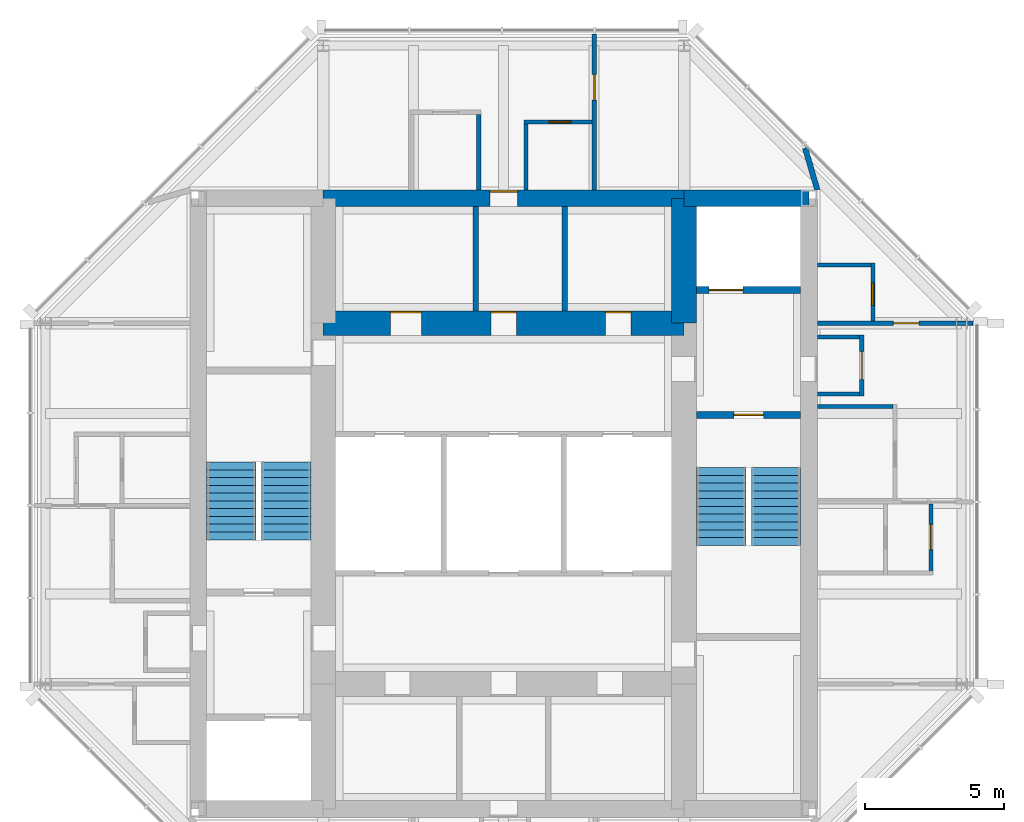
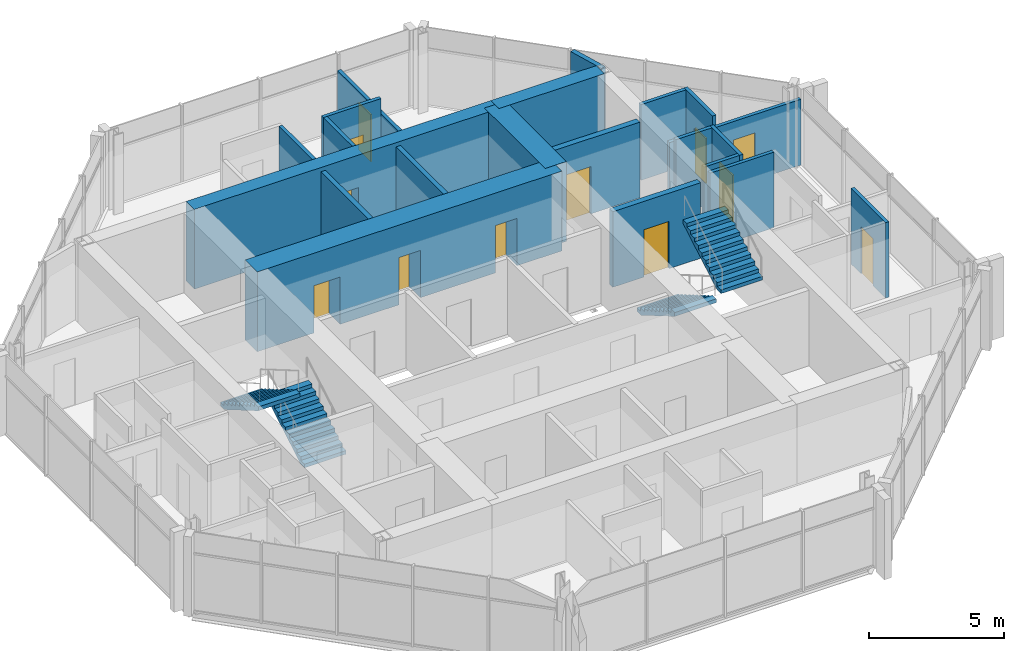
# One storey, part 7 of 9: 21 walls, 12 doors, 4 stair flights, 12 openings, 2 elements without a shape of their own.
"""IFC4 building model written with IfcOpenShell, lengths in metres."""

from ifc_helpers import new_model, si_unit, direction, frame, frame_2d, origin, place, context, subcontext, project, spatial, polyline, rectangle, outline, extrude, material, layer, layer_set, type_object, element, fill, aggregate, save


model = new_model("IFC4")

# Units and contexts
model_context = context("Model", 3, precision=1e-05, world=origin(), true_north=direction((0.0, 1.0)))
body_context = subcontext(model_context, "Body", "Model", "MODEL_VIEW")
ifc_project = project(units=[si_unit("LENGTHUNIT", "METRE"), si_unit("AREAUNIT", "SQUARE_METRE"), si_unit("VOLUMEUNIT", "CUBIC_METRE"), si_unit("PLANEANGLEUNIT", "RADIAN"), si_unit("MASSUNIT", "GRAM", prefix="KILO")], contexts=[model_context])

# Site, building, storey
site_placement = place(None, origin())
site = spatial("IfcSite", under=ifc_project, at=site_placement, CompositionType="ELEMENT")
building_placement = place(site_placement, origin())
building = spatial("IfcBuilding", under=site, at=building_placement, Name="Trevanion Tower", CompositionType="ELEMENT")
storey_placement = place(building_placement, frame((0.0, 0.0, 281.199951171875)))
storey = spatial("IfcBuildingStorey", under=building, at=storey_placement, Name="L69", CompositionType="ELEMENT", Elevation=281.199951171875)

# Wall
ifc_material_1 = material(Name="Concrete 10,000 psi", Category="concrete")
ifc_layer_1 = layer(ifc_material_1, 0.60009765625)
ifc_layer_set_1 = layer_set([ifc_layer_1], Name="CW1 core wall 600")
wall_type_1 = type_object("IfcWallType", Name="CW1 core wall 600", PredefinedType="SHEAR", material=ifc_layer_set_1)
wall_1_placement = place(storey_placement, frame((11.0, 11.0, 0.0), z_axis=(0.0, 0.0, 1.0), x_axis=(-1.0, 0.0, 0.0)))
element("IfcWall", 1, at=wall_1_placement, inside=storey, type_object=wall_type_1, Name="CW1 CN1 L69", PredefinedType="SHEAR", context=body_context, shape_type="SweptSolid", body=[
    extrude(rectangle(XDim=4.5, YDim=0.60009765625, at=frame_2d((2.25, 0.0))), origin(), (0.0, 0.0, 1.0), 3.60009765625),
])

# Wall, opening, door
wall_2_placement = place(storey_placement, frame((6.5, 11.0, 0.0), z_axis=(0.0, 0.0, 1.0), x_axis=(-1.0, 0.0, 0.0)))
wall_2 = element("IfcWall", 2, at=wall_2_placement, inside=storey, type_object=wall_type_1, Name="CW1 CN2 L69", PredefinedType="SHEAR", context=body_context, shape_type="SweptSolid", body=[
    extrude(rectangle(XDim=13.0, YDim=0.60009765625, at=frame_2d((6.5, 0.0))), origin(), (0.0, 0.0, 1.0), 3.60009765625),
])
opening_1_placement = place(wall_2_placement, frame((6.0, 0.0, 0.0)))
opening_1 = element("IfcOpeningElement", 3, at=opening_1_placement, cuts=wall_2, Name="Opening 69-018", PredefinedType="OPENING", context=body_context, shape_type="SweptSolid", body=[
    extrude(rectangle(XDim=1.0, YDim=2.134033203125, at=frame_2d((0.5, 1.06689453125))), frame((0.0, 0.31005859375, 0.0), z_axis=(0.0, -1.0, 0.0), x_axis=(1.0, 0.0, 0.0)), (0.0, 0.0, 1.0), 0.6201171875),
])
ifc_material_2 = material(Name="Timber veneer on steel frame, fire rated", Category="steel")
door_type_1 = type_object("IfcDoorType", Name="D13 residence entrance door", OperationType="SINGLE_SWING_RIGHT", PredefinedType="DOOR", material=ifc_material_2)
door_1_placement = place(opening_1_placement, origin())
door_1 = element("IfcDoor", 4, at=door_1_placement, inside=storey, type_object=door_type_1, Name="Door 69-018", OperationType="SINGLE_SWING_RIGHT", OverallHeight=2.134033203125, OverallWidth=1.0, PredefinedType="DOOR", context=body_context, shape_type="SweptSolid", body=[
    extrude(rectangle(XDim=1.0, YDim=2.134033203125, at=frame_2d((0.5, 1.06689453125))), frame((0.0, -0.22509765625, 0.0), z_axis=(0.0, -1.0, 0.0), x_axis=(1.0, 0.0, 0.0)), (0.0, 0.0, 1.0), 0.050048828125),
])
fill(opening_1, door_1)

# Wall
ifc_material_3 = material(Name="Concrete 10,000 psi", Category="concrete")
ifc_layer_2 = layer(ifc_material_3, 0.89990234375)
ifc_layer_set_2 = layer_set([ifc_layer_2], Name="CW2 core wall 900")
wall_type_2 = type_object("IfcWallType", Name="CW2 core wall 900", PredefinedType="SHEAR", material=ifc_layer_set_2)
wall_3_placement = place(storey_placement, frame((6.5, 6.5, 0.0), z_axis=(0.0, 0.0, 1.0), x_axis=(0.0, 1.0, 0.0)))
element("IfcWall", 5, at=wall_3_placement, inside=storey, type_object=wall_type_2, Name="CW2 RE3 L69", PredefinedType="SHEAR", context=body_context, shape_type="SweptSolid", body=[
    extrude(rectangle(XDim=4.5, YDim=0.89990234375, at=frame_2d((2.25, 0.0))), origin(), (0.0, 0.0, 1.0), 3.60009765625),
])

# Wall, openings, doors
wall_4_placement = place(storey_placement, frame((6.5, 6.5, 0.0), z_axis=(0.0, 0.0, 1.0), x_axis=(-1.0, 0.0, 0.0)))
wall_4 = element("IfcWall", 6, at=wall_4_placement, inside=storey, type_object=wall_type_2, Name="CW2 RN L69", PredefinedType="SHEAR", context=body_context, shape_type="SweptSolid", body=[
    extrude(rectangle(XDim=13.0, YDim=0.89990234375, at=frame_2d((6.5, 0.0))), origin(), (0.0, 0.0, 1.0), 3.60009765625),
])
opening_2_placement = place(wall_4_placement, frame((6.04248046875, 0.0, 0.0)))
opening_2 = element("IfcOpeningElement", 7, at=opening_2_placement, cuts=wall_4, Name="Opening 69-017", PredefinedType="OPENING", context=body_context, shape_type="SweptSolid", body=[
    extrude(rectangle(XDim=0.9150390625, YDim=2.134033203125, at=frame_2d((0.45751953125, 1.06689453125))), frame((0.0, 0.4599609375, 0.0), z_axis=(0.0, -1.0, 0.0), x_axis=(1.0, 0.0, 0.0)), (0.0, 0.0, 1.0), 0.919921875),
])
opening_3_placement = place(wall_4_placement, frame((9.466064453125, 0.0, 0.0)))
opening_3 = element("IfcOpeningElement", 8, at=opening_3_placement, cuts=wall_4, Name="Opening 69-019", PredefinedType="OPENING", context=body_context, shape_type="SweptSolid", body=[
    extrude(rectangle(XDim=1.117919921875, YDim=2.134033203125, at=frame_2d((0.55908203125, 1.06689453125))), frame((0.0, 0.4599609375, 0.0), z_axis=(0.0, -1.0, 0.0), x_axis=(1.0, 0.0, 0.0)), (0.0, 0.0, 1.0), 0.919921875),
])
opening_4_placement = place(wall_4_placement, frame((1.91748046875, 0.0, 0.0)))
opening_4 = element("IfcOpeningElement", 9, at=opening_4_placement, cuts=wall_4, Name="Opening 69-020", PredefinedType="OPENING", context=body_context, shape_type="SweptSolid", body=[
    extrude(rectangle(XDim=0.9150390625, YDim=2.134033203125, at=frame_2d((0.45751953125, 1.06689453125))), frame((0.0, 0.4599609375, 0.0), z_axis=(0.0, -1.0, 0.0), x_axis=(1.0, 0.0, 0.0)), (0.0, 0.0, 1.0), 0.919921875),
])
ifc_material_4 = material(Name="Hollow metal, fire rated", Category="steel")
door_type_2 = type_object("IfcDoorType", Name="D16 refuse room door", OperationType="SINGLE_SWING_RIGHT", PredefinedType="DOOR", material=ifc_material_4)
door_2_placement = place(opening_3_placement, origin())
door_2 = element("IfcDoor", 10, at=door_2_placement, inside=storey, type_object=door_type_2, Name="Door 69-019", OperationType="SINGLE_SWING_RIGHT", OverallHeight=2.134033203125, OverallWidth=1.117919921875, PredefinedType="DOOR", context=body_context, shape_type="SweptSolid", body=[
    extrude(rectangle(XDim=1.117919921875, YDim=2.134033203125, at=frame_2d((0.55908203125, 1.06689453125))), frame((0.0, -0.375, 0.0), z_axis=(0.0, -1.0, 0.0), x_axis=(1.0, 0.0, 0.0)), (0.0, 0.0, 1.0), 0.050048828125),
])
fill(opening_3, door_2)
ifc_material_5 = material(Name="Hollow metal, fire rated", Category="steel")
door_type_3 = type_object("IfcDoorType", Name="D3 fire lift lobby door", OperationType="SINGLE_SWING_RIGHT", PredefinedType="DOOR", material=ifc_material_5)
door_3_placement = place(opening_2_placement, origin())
door_3 = element("IfcDoor", 11, at=door_3_placement, inside=storey, type_object=door_type_3, Name="Door 69-017", OperationType="SINGLE_SWING_RIGHT", OverallHeight=2.134033203125, OverallWidth=0.9150390625, PredefinedType="DOOR", context=body_context, shape_type="SweptSolid", body=[
    extrude(rectangle(XDim=0.9150390625, YDim=2.134033203125, at=frame_2d((0.45751953125, 1.06689453125))), frame((0.0, -0.375, 0.0), z_axis=(0.0, -1.0, 0.0), x_axis=(1.0, 0.0, 0.0)), (0.0, 0.0, 1.0), 0.050048828125),
])
fill(opening_2, door_3)
ifc_material_6 = material(Name="Hollow metal, fire rated", Category="steel")
door_type_4 = type_object("IfcDoorType", Name="D5 service room door", OperationType="SINGLE_SWING_RIGHT", PredefinedType="DOOR", material=ifc_material_6)
door_4_placement = place(opening_4_placement, origin())
door_4 = element("IfcDoor", 12, at=door_4_placement, inside=storey, type_object=door_type_4, Name="Door 69-020", OperationType="SINGLE_SWING_RIGHT", OverallHeight=2.134033203125, OverallWidth=0.9150390625, PredefinedType="DOOR", context=body_context, shape_type="SweptSolid", body=[
    extrude(rectangle(XDim=0.9150390625, YDim=2.134033203125, at=frame_2d((0.45751953125, 1.06689453125))), frame((0.0, -0.375, 0.0), z_axis=(0.0, -1.0, 0.0), x_axis=(1.0, 0.0, 0.0)), (0.0, 0.0, 1.0), 0.050048828125),
])
fill(opening_4, door_4)

# Wall, opening, door
ifc_material_7 = material(Name="Gypsum board on steel studs", Category="steel")
ifc_layer_3 = layer(ifc_material_7, 0.14990234375)
ifc_layer_set_3 = layer_set([ifc_layer_3], Name="PT1 partition 150")
wall_type_3 = type_object("IfcWallType", Name="PT1 partition 150", PredefinedType="PARTITIONING", material=ifc_layer_set_3)
wall_5_placement = place(storey_placement, frame((11.300048828125, 6.5, 0.0), z_axis=(0.0, 0.0, 1.0), x_axis=(1.0, 0.0, 0.0)))
wall_5 = element("IfcWall", 13, at=wall_5_placement, inside=storey, type_object=wall_type_3, Name="PT1 L69 REC2", PredefinedType="PARTITIONING", context=body_context, shape_type="SweptSolid", body=[
    extrude(rectangle(XDim=5.614990234375, YDim=0.14990234375, at=frame_2d((2.8076171875, 0.0))), origin(), (0.0, 0.0, 1.0), 2.965576171875),
])
opening_5_placement = place(wall_5_placement, frame((2.742431640625, 0.0, 0.0)))
opening_5 = element("IfcOpeningElement", 14, at=opening_5_placement, cuts=wall_5, Name="Opening 69-033", PredefinedType="OPENING", context=body_context, shape_type="SweptSolid", body=[
    extrude(rectangle(XDim=0.9150390625, YDim=2.134033203125, at=frame_2d((0.45751953125, 1.06689453125))), frame((0.0, 0.0849609375, 0.0), z_axis=(0.0, -1.0, 0.0), x_axis=(1.0, 0.0, 0.0)), (0.0, 0.0, 1.0), 0.169921875),
])
ifc_material_8 = material(Name="Timber veneer, solid core", Category="wood")
door_type_5 = type_object("IfcDoorType", Name="D1 office and meeting room door", OperationType="SINGLE_SWING_LEFT", PredefinedType="DOOR", material=ifc_material_8)
door_5_placement = place(opening_5_placement, origin())
door_5 = element("IfcDoor", 15, at=door_5_placement, inside=storey, type_object=door_type_5, Name="Door 69-033", OperationType="SINGLE_SWING_LEFT", OverallHeight=2.134033203125, OverallWidth=0.9150390625, PredefinedType="DOOR", context=body_context, shape_type="SweptSolid", body=[
    extrude(rectangle(XDim=0.9150390625, YDim=2.134033203125, at=frame_2d((0.45751953125, 1.06689453125))), frame((0.0, 0.02490234375, 0.0), z_axis=(0.0, -1.0, 0.0), x_axis=(1.0, 0.0, 0.0)), (0.0, 0.0, 1.0), 0.050048828125),
])
fill(opening_5, door_5)

# Walls
for number, where, z_axis, x_axis, name in (
    (16, (11.300048828125, 3.949951171875, 0.0), (0.0, 0.0, 1.0), (1.0, 0.0, 0.0), "PT1 L69 REEA"),
    (17, (11.300048828125, 6.0, 0.0), (0.0, 0.0, 1.0), (1.0, 0.0, 0.0), "PT1 L69 REEB"),
):
    element("IfcWall", number, at=place(storey_placement, frame(where, z_axis=z_axis, x_axis=x_axis)), inside=storey, type_object=wall_type_3, Name=name, PredefinedType="PARTITIONING", context=body_context, shape_type="SweptSolid", body=[
        extrude(rectangle(XDim=1.52490234375, YDim=0.14990234375, at=frame_2d((0.762451171875, 0.0))), origin(), (0.0, 0.0, 1.0), 3.41015625),
    ])
wall_6_placement = place(storey_placement, frame((11.300048828125, 3.5, 0.0), z_axis=(0.0, 0.0, 1.0), x_axis=(1.0, 0.0, 0.0)))
element("IfcWall", 18, at=wall_6_placement, inside=storey, type_object=wall_type_3, Name="PT1 L69 REKB", PredefinedType="PARTITIONING", context=body_context, shape_type="SweptSolid", body=[
    extrude(rectangle(XDim=2.724853515625, YDim=0.14990234375, at=frame_2d((1.3623046875, 0.0))), origin(), (0.0, 0.0, 1.0), 3.41015625),
])

# Wall, opening, door
wall_7_placement = place(storey_placement, frame((13.300048828125, 6.574951171875, 0.0), z_axis=(0.0, 0.0, 1.0), x_axis=(0.0, 1.0, 0.0)))
wall_7 = element("IfcWall", 19, at=wall_7_placement, inside=storey, type_object=wall_type_3, Name="PT1 L69 REWF", PredefinedType="PARTITIONING", context=body_context, shape_type="SweptSolid", body=[
    extrude(rectangle(XDim=2.10009765625, YDim=0.14990234375, at=frame_2d((1.050048828125, 0.0))), origin(), (0.0, 0.0, 1.0), 3.41015625),
])
opening_6_placement = place(wall_7_placement, frame((0.568603515625, 0.0, 0.0)))
opening_6 = element("IfcOpeningElement", 20, at=opening_6_placement, cuts=wall_7, Name="Opening 69-027", PredefinedType="OPENING", context=body_context, shape_type="SweptSolid", body=[
    extrude(rectangle(XDim=0.81298828125, YDim=2.031982421875, at=frame_2d((0.406494140625, 1.01611328125))), frame((0.0, 0.0849609375, 0.0), z_axis=(0.0, -1.0, 0.0), x_axis=(1.0, 0.0, 0.0)), (0.0, 0.0, 1.0), 0.169921875),
])
ifc_material_9 = material(Name="Timber veneer", Category="wood")
door_type_6 = type_object("IfcDoorType", Name="D14 residence bathroom door", OperationType="SINGLE_SWING_LEFT", PredefinedType="DOOR", material=ifc_material_9)
door_6_placement = place(opening_6_placement, origin())
door_6 = element("IfcDoor", 21, at=door_6_placement, inside=storey, type_object=door_type_6, Name="Door 69-027", OperationType="SINGLE_SWING_LEFT", OverallHeight=2.031982421875, OverallWidth=0.81298828125, PredefinedType="DOOR", context=body_context, shape_type="SweptSolid", body=[
    extrude(rectangle(XDim=0.81298828125, YDim=2.031982421875, at=frame_2d((0.406494140625, 1.01611328125))), frame((0.0, 0.02490234375, 0.0), z_axis=(0.0, -1.0, 0.0), x_axis=(1.0, 0.0, 0.0)), (0.0, 0.0, 1.0), 0.050048828125),
])
fill(opening_6, door_6)

# Wall
wall_8_placement = place(storey_placement, frame((11.300048828125, 8.60009765625, 0.0), z_axis=(0.0, 0.0, 1.0), x_axis=(1.0, 0.0, 0.0)))
element("IfcWall", 22, at=wall_8_placement, inside=storey, type_object=wall_type_3, Name="PT1 L69 REWB", PredefinedType="PARTITIONING", context=body_context, shape_type="SweptSolid", body=[
    extrude(rectangle(XDim=1.925048828125, YDim=0.14990234375, at=frame_2d((0.96240234375, 0.0))), origin(), (0.0, 0.0, 1.0), 3.41015625),
])

# Wall, opening, door
wall_9_placement = place(storey_placement, frame((15.39990234375, -0.010009765625, 0.0), z_axis=(0.0, 0.0, 1.0), x_axis=(0.0, -1.0, 0.0)))
wall_9 = element("IfcWall", 23, at=wall_9_placement, inside=storey, type_object=wall_type_3, Name="PT1 L69 REHX", PredefinedType="PARTITIONING", context=body_context, shape_type="SweptSolid", body=[
    extrude(rectangle(XDim=2.56494140625, YDim=0.14990234375, at=frame_2d((1.282470703125, 0.0))), origin(), (0.0, 0.0, 1.0), 3.41015625),
])
opening_7_placement = place(wall_9_placement, frame((0.732421875, 0.0, 0.0)))
opening_7 = element("IfcOpeningElement", 24, at=opening_7_placement, cuts=wall_9, Name="Opening 69-030", PredefinedType="OPENING", context=body_context, shape_type="SweptSolid", body=[
    extrude(rectangle(XDim=0.9150390625, YDim=2.134033203125, at=frame_2d((0.45751953125, 1.06689453125))), frame((0.0, 0.0849609375, 0.0), z_axis=(0.0, -1.0, 0.0), x_axis=(1.0, 0.0, 0.0)), (0.0, 0.0, 1.0), 0.169921875),
])
door_7_placement = place(opening_7_placement, origin())
door_7 = element("IfcDoor", 25, at=door_7_placement, inside=storey, type_object=door_type_5, Name="Door 69-030", OperationType="SINGLE_SWING_LEFT", OverallHeight=2.134033203125, OverallWidth=0.9150390625, PredefinedType="DOOR", context=body_context, shape_type="SweptSolid", body=[
    extrude(rectangle(XDim=0.9150390625, YDim=2.134033203125, at=frame_2d((0.45751953125, 1.06689453125))), frame((0.0, 0.02490234375, 0.0), z_axis=(0.0, -1.0, 0.0), x_axis=(1.0, 0.0, 0.0)), (0.0, 0.0, 1.0), 0.050048828125),
])
fill(opening_7, door_7)

wall_10_placement = place(storey_placement, frame((3.26611328125, 11.300048828125, 0.0), z_axis=(0.0, 0.0, 1.0), x_axis=(0.0, 1.0, 0.0)))
wall_10 = element("IfcWall", 26, at=wall_10_placement, inside=storey, type_object=wall_type_3, Name="PT1 L69 RNC0", PredefinedType="PARTITIONING", context=body_context, shape_type="SweptSolid", body=[
    extrude(rectangle(XDim=5.614990234375, YDim=0.14990234375, at=frame_2d((2.8076171875, 0.0))), origin(), (0.0, 0.0, 1.0), 2.708984375),
])
opening_8_placement = place(wall_10_placement, frame((3.242431640625, 0.0, 0.0)))
opening_8 = element("IfcOpeningElement", 27, at=opening_8_placement, cuts=wall_10, Name="Opening 69-036", PredefinedType="OPENING", context=body_context, shape_type="SweptSolid", body=[
    extrude(rectangle(XDim=0.9150390625, YDim=2.134033203125, at=frame_2d((0.45751953125, 1.06689453125))), frame((0.0, 0.0849609375, 0.0), z_axis=(0.0, -1.0, 0.0), x_axis=(1.0, 0.0, 0.0)), (0.0, 0.0, 1.0), 0.169921875),
])
door_8_placement = place(opening_8_placement, origin())
door_8 = element("IfcDoor", 28, at=door_8_placement, inside=storey, type_object=door_type_5, Name="Door 69-036", OperationType="SINGLE_SWING_LEFT", OverallHeight=2.134033203125, OverallWidth=0.9150390625, PredefinedType="DOOR", context=body_context, shape_type="SweptSolid", body=[
    extrude(rectangle(XDim=0.9150390625, YDim=2.134033203125, at=frame_2d((0.45751953125, 1.06689453125))), frame((0.0, 0.02490234375, 0.0), z_axis=(0.0, -1.0, 0.0), x_axis=(1.0, 0.0, 0.0)), (0.0, 0.0, 1.0), 0.050048828125),
])
fill(opening_8, door_8)

# Wall
wall_11_placement = place(storey_placement, frame((-0.89990234375, 11.300048828125, 0.0), z_axis=(0.0, 0.0, 1.0), x_axis=(0.0, 1.0, 0.0)))
element("IfcWall", 29, at=wall_11_placement, inside=storey, type_object=wall_type_3, Name="PT1 L69 RNKA", PredefinedType="PARTITIONING", context=body_context, shape_type="SweptSolid", body=[
    extrude(rectangle(XDim=2.724853515625, YDim=0.14990234375, at=frame_2d((1.3623046875, 0.0))), origin(), (0.0, 0.0, 1.0), 3.41015625),
])

# Wall, opening, door
wall_12_placement = place(storey_placement, frame((3.19091796875, 13.75, 0.0), z_axis=(0.0, 0.0, 1.0), x_axis=(-1.0, 0.0, 0.0)))
wall_12 = element("IfcWall", 30, at=wall_12_placement, inside=storey, type_object=wall_type_3, Name="PT1 L69 RNTF", PredefinedType="PARTITIONING", context=body_context, shape_type="SweptSolid", body=[
    extrude(rectangle(XDim=2.4658203125, YDim=0.14990234375, at=frame_2d((1.23291015625, 0.0))), origin(), (0.0, 0.0, 1.0), 3.41015625),
])
opening_9_placement = place(wall_12_placement, frame((0.75146484375, 0.0, 0.0)))
opening_9 = element("IfcOpeningElement", 31, at=opening_9_placement, cuts=wall_12, Name="Opening 69-035", PredefinedType="OPENING", context=body_context, shape_type="SweptSolid", body=[
    extrude(rectangle(XDim=0.81298828125, YDim=2.031982421875, at=frame_2d((0.406494140625, 1.01611328125))), frame((0.0, 0.0849609375, 0.0), z_axis=(0.0, -1.0, 0.0), x_axis=(1.0, 0.0, 0.0)), (0.0, 0.0, 1.0), 0.169921875),
])
door_9_placement = place(opening_9_placement, origin())
door_9 = element("IfcDoor", 32, at=door_9_placement, inside=storey, type_object=door_type_6, Name="Door 69-035", OperationType="SINGLE_SWING_LEFT", OverallHeight=2.031982421875, OverallWidth=0.81298828125, PredefinedType="DOOR", context=body_context, shape_type="SweptSolid", body=[
    extrude(rectangle(XDim=0.81298828125, YDim=2.031982421875, at=frame_2d((0.406494140625, 1.01611328125))), frame((0.0, 0.02490234375, 0.0), z_axis=(0.0, -1.0, 0.0), x_axis=(1.0, 0.0, 0.0)), (0.0, 0.0, 1.0), 0.050048828125),
])
fill(opening_9, door_9)

# Wall
wall_13_placement = place(storey_placement, frame((0.800048828125, 11.300048828125, 0.0), z_axis=(0.0, 0.0, 1.0), x_axis=(0.0, 1.0, 0.0)))
element("IfcWall", 33, at=wall_13_placement, inside=storey, type_object=wall_type_3, Name="PT1 L69 RNTB", PredefinedType="PARTITIONING", context=body_context, shape_type="SweptSolid", body=[
    extrude(rectangle(XDim=2.375, YDim=0.14990234375, at=frame_2d((1.1875, 0.0))), origin(), (0.0, 0.0, 1.0), 3.41015625),
])

# Wall, opening, door
ifc_material_10 = material(Name="Gypsum board on steel studs", Category="steel")
ifc_layer_4 = layer(ifc_material_10, 0.14990234375)
ifc_layer_set_4 = layer_set([ifc_layer_4], Name="PT1 partition 150 1 HR")
wall_type_4 = type_object("IfcWallType", Name="PT1 partition 150 1 HR", PredefinedType="PARTITIONING", material=ifc_layer_set_4)
wall_14_placement = place(storey_placement, frame((12.89990234375, 3.875, 0.0), z_axis=(0.0, 0.0, 1.0), x_axis=(0.0, 1.0, 0.0)))
wall_14 = element("IfcWall", 34, at=wall_14_placement, inside=storey, type_object=wall_type_4, Name="PT1 L69 REEF", PredefinedType="PARTITIONING", context=body_context, shape_type="SweptSolid", body=[
    extrude(rectangle(XDim=2.199951171875, YDim=0.14990234375, at=frame_2d((1.10009765625, 0.0))), origin(), (0.0, 0.0, 1.0), 3.41015625),
])
opening_10_placement = place(wall_14_placement, frame((0.60009765625, 0.0, 0.0)))
opening_10 = element("IfcOpeningElement", 35, at=opening_10_placement, cuts=wall_14, Name="Opening 69-025", PredefinedType="OPENING", context=body_context, shape_type="SweptSolid", body=[
    extrude(rectangle(XDim=1.0, YDim=2.134033203125, at=frame_2d((0.5, 1.06689453125))), frame((0.0, 0.0849609375, 0.0), z_axis=(0.0, -1.0, 0.0), x_axis=(1.0, 0.0, 0.0)), (0.0, 0.0, 1.0), 0.169921875),
])
door_10_placement = place(opening_10_placement, origin())
door_10 = element("IfcDoor", 36, at=door_10_placement, inside=storey, type_object=door_type_1, Name="Door 69-025", OperationType="SINGLE_SWING_RIGHT", OverallHeight=2.134033203125, OverallWidth=1.0, PredefinedType="DOOR", context=body_context, shape_type="SweptSolid", body=[
    extrude(rectangle(XDim=1.0, YDim=2.134033203125, at=frame_2d((0.5, 1.06689453125))), frame((0.0, 0.02490234375, 0.0), z_axis=(0.0, -1.0, 0.0), x_axis=(1.0, 0.0, 0.0)), (0.0, 0.0, 1.0), 0.050048828125),
])
fill(opening_10, door_10)

# Walls
ifc_material_11 = material(Name="Concrete masonry, grouted", Category="masonry")
ifc_layer_5 = layer(ifc_material_11, 0.199951171875)
ifc_layer_set_5 = layer_set([ifc_layer_5], Name="PT2 partition 200 1 HR")
wall_type_5 = type_object("IfcWallType", Name="PT2 partition 200 1 HR", PredefinedType="PARTITIONING", material=ifc_layer_set_5)
for number, where, z_axis, x_axis, name in (
    (37, (-1.0, 6.949951171875, 0.0), (0.0, 0.0, 1.0), (0.0, 1.0, 0.0), "PT2 L69 CNP1"),
    (38, (2.199951171875, 6.949951171875, 0.0), (0.0, 0.0, 1.0), (0.0, 1.0, 0.0), "PT2 L69 CNP2"),
):
    element("IfcWall", number, at=place(storey_placement, frame(where, z_axis=z_axis, x_axis=x_axis)), inside=storey, type_object=wall_type_5, Name=name, PredefinedType="PARTITIONING", context=body_context, shape_type="SweptSolid", body=[
        extrude(rectangle(XDim=3.75, YDim=0.199951171875, at=frame_2d((1.875, 0.0))), origin(), (0.0, 0.0, 1.0), 3.41015625),
    ])
wall_15_placement = place(storey_placement, frame((11.300048828125, 11.300048828125, 0.0), z_axis=(0.0, 0.0, 1.0), x_axis=(-0.278099250491, 0.960552344683, 0.0)))
element("IfcWall", 39, at=wall_15_placement, inside=storey, type_object=wall_type_5, Name="PT2 L69 UB0", PredefinedType="PARTITIONING", context=body_context, shape_type="SweptSolid", body=[
    extrude(rectangle(XDim=1.583740234375, YDim=0.199951171875, at=frame_2d((0.7919921875, 0.0))), origin(), (0.0, 0.0, 1.0), 3.41015625),
])

# Wall, opening, door
ifc_material_12 = material(Name="Concrete masonry, grouted, two-hour", Category="masonry")
ifc_layer_6 = layer(ifc_material_12, 0.25)
ifc_layer_set_6 = layer_set([ifc_layer_6], Name="PT3 partition 250 2 HR")
wall_type_6 = type_object("IfcWallType", Name="PT3 partition 250 2 HR", PredefinedType="PARTITIONING", material=ifc_layer_set_6)
wall_16_placement = place(storey_placement, frame((6.949951171875, 7.699951171875, 0.0), z_axis=(0.0, 0.0, 1.0), x_axis=(1.0, 0.0, 0.0)))
wall_16 = element("IfcWall", 40, at=wall_16_placement, inside=storey, type_object=wall_type_6, Name="PT3 L69 EP3", PredefinedType="PARTITIONING", context=body_context, shape_type="SweptSolid", body=[
    extrude(rectangle(XDim=3.75, YDim=0.25, at=frame_2d((1.875, 0.0))), origin(), (0.0, 0.0, 1.0), 3.41015625),
])
opening_11_placement = place(wall_16_placement, frame((0.449951171875, 0.0, 0.0)))
opening_11 = element("IfcOpeningElement", 41, at=opening_11_placement, cuts=wall_16, Name="Opening 69-007", PredefinedType="OPENING", context=body_context, shape_type="SweptSolid", body=[
    extrude(rectangle(XDim=1.218994140625, YDim=2.134033203125, at=frame_2d((0.609375, 1.06689453125))), frame((0.0, 0.135009765625, 0.0), z_axis=(0.0, -1.0, 0.0), x_axis=(1.0, 0.0, 0.0)), (0.0, 0.0, 1.0), 0.27001953125),
])
ifc_material_13 = material(Name="Stainless steel, fire rated", Category="steel")
door_type_7 = type_object("IfcDoorType", Name="LD2 fire service lift landing door", OperationType="SLIDING_TO_LEFT", PredefinedType="DOOR", material=ifc_material_13)
door_11_placement = place(opening_11_placement, origin())
door_11 = element("IfcDoor", 42, at=door_11_placement, inside=storey, type_object=door_type_7, Name="Door 69-007", OperationType="SLIDING_TO_LEFT", OverallHeight=2.134033203125, OverallWidth=1.218994140625, PredefinedType="DOOR", context=body_context, shape_type="SweptSolid", body=[
    extrude(rectangle(XDim=1.218994140625, YDim=2.134033203125, at=frame_2d((0.609375, 1.06689453125))), frame((0.0, 0.02490234375, 0.0), z_axis=(0.0, -1.0, 0.0), x_axis=(1.0, 0.0, 0.0)), (0.0, 0.0, 1.0), 0.050048828125),
])
fill(opening_11, door_11)

ifc_material_14 = material(Name="Reinforced masonry, fully grouted", Category="masonry")
ifc_layer_7 = layer(ifc_material_14, 0.25)
ifc_layer_set_7 = layer_set([ifc_layer_7], Name="SW1 stair shaft wall 250")
wall_type_7 = type_object("IfcWallType", Name="SW1 stair shaft wall 250", PredefinedType="SOLIDWALL", material=ifc_layer_set_7)
wall_17_placement = place(storey_placement, frame((6.949951171875, 3.199951171875, 0.0), z_axis=(0.0, 0.0, 1.0), x_axis=(1.0, 0.0, 0.0)))
wall_17 = element("IfcWall", 43, at=wall_17_placement, inside=storey, type_object=wall_type_7, Name="SW1 L69 EP2", PredefinedType="SOLIDWALL", context=body_context, shape_type="SweptSolid", body=[
    extrude(rectangle(XDim=3.75, YDim=0.25, at=frame_2d((1.875, 0.0))), origin(), (0.0, 0.0, 1.0), 3.41015625),
])
opening_12_placement = place(wall_17_placement, frame((1.341552734375, 0.0, 0.0)))
opening_12 = element("IfcOpeningElement", 44, at=opening_12_placement, cuts=wall_17, Name="Opening 69-005", PredefinedType="OPENING", context=body_context, shape_type="SweptSolid", body=[
    extrude(rectangle(XDim=1.06689453125, YDim=2.134033203125, at=frame_2d((0.533447265625, 1.06689453125))), frame((0.0, 0.135009765625, 0.0), z_axis=(0.0, -1.0, 0.0), x_axis=(1.0, 0.0, 0.0)), (0.0, 0.0, 1.0), 0.27001953125),
])
ifc_material_15 = material(Name="Hollow metal, fire rated", Category="steel")
door_type_8 = type_object("IfcDoorType", Name="D2 exit stair door", OperationType="SINGLE_SWING_LEFT", PredefinedType="DOOR", material=ifc_material_15)
door_12_placement = place(opening_12_placement, origin())
door_12 = element("IfcDoor", 45, at=door_12_placement, inside=storey, type_object=door_type_8, Name="Door 69-005", OperationType="SINGLE_SWING_LEFT", OverallHeight=2.134033203125, OverallWidth=1.06689453125, PredefinedType="DOOR", context=body_context, shape_type="SweptSolid", body=[
    extrude(rectangle(XDim=1.06689453125, YDim=2.134033203125, at=frame_2d((0.533447265625, 1.06689453125))), frame((0.0, 0.02490234375, 0.0), z_axis=(0.0, -1.0, 0.0), x_axis=(1.0, 0.0, 0.0)), (0.0, 0.0, 1.0), 0.050048828125),
])
fill(opening_12, door_12)

# Stair, stair flights
ifc_material_16 = material(Name="Concrete 5,000 psi on steel stringers", Category="concrete")
stair_type = type_object("IfcStairType", Name="ST stair", PredefinedType="HALF_TURN_STAIR", material=ifc_material_16)
stair_1_placement = place(storey_placement, origin())
stair_1 = element("IfcStair", 46, at=stair_1_placement, inside=storey, type_object=stair_type, Name="ST1 L69", PredefinedType="HALF_TURN_STAIR")
ifc_material_17 = material(Name="Concrete 5,000 psi in steel pan", Category="concrete")
stair_flight_type = type_object("IfcStairFlightType", Name="STF stair flight", PredefinedType="STRAIGHT", material=ifc_material_17)
stair_flight_1_placement = place(storey_placement, frame((7.83740234375, 1.300048828125, 0.0), z_axis=(0.0, 0.0, 1.0), x_axis=(0.0, -1.0, 0.0)))
stair_flight_1 = element("IfcStairFlight", 47, at=stair_flight_1_placement, type_object=stair_flight_type, Name="ST1 flight 1", NumberOfRisers=11, NumberOfTreads=10, PredefinedType="STRAIGHT", RiserHeight=0.163636364, TreadLength=0.28, context=body_context, shape_type="SweptSolid", body=[
    extrude(outline(polyline([(0.0, 0.0), (0.0, 0.16357421875), (0.280029296875, 0.16357421875), (0.280029296875, 0.327392578125), (0.56005859375, 0.327392578125), (0.56005859375, 0.490966796875), (0.840087890625, 0.490966796875), (0.840087890625, 0.654541015625), (1.1201171875, 0.654541015625), (1.1201171875, 0.818115234375), (1.39990234375, 0.818115234375), (1.39990234375, 0.98193359375), (1.679931640625, 0.98193359375), (1.679931640625, 1.1455078125), (1.9599609375, 1.1455078125), (1.9599609375, 1.30908203125), (2.239990234375, 1.30908203125), (2.239990234375, 1.47265625), (2.52001953125, 1.47265625), (2.52001953125, 1.636474609375), (2.800048828125, 1.636474609375), (2.800048828125, 1.800048828125), (2.800048828125, 1.462646484375), (0.297119140625, 0.0), (0.0, 0.0)])), frame((0.0, 0.887451171875, 0.0), z_axis=(0.0, -1.0, 0.0), x_axis=(1.0, 0.0, 0.0)), (0.0, 0.0, 1.0), 1.77490234375),
])
stair_flight_2_placement = place(storey_placement, frame((9.8125, -1.5, 1.800048828125), z_axis=(0.0, 0.0, 1.0), x_axis=(0.0, 1.0, 0.0)))
stair_flight_2 = element("IfcStairFlight", 48, at=stair_flight_2_placement, type_object=stair_flight_type, Name="ST1 flight 2", NumberOfRisers=11, NumberOfTreads=10, PredefinedType="STRAIGHT", RiserHeight=0.163636364, TreadLength=0.28, context=body_context, shape_type="SweptSolid", body=[
    extrude(outline(polyline([(0.0, 0.0), (0.0, 0.16357421875), (0.280029296875, 0.16357421875), (0.280029296875, 0.327392578125), (0.56005859375, 0.327392578125), (0.56005859375, 0.490966796875), (0.840087890625, 0.490966796875), (0.840087890625, 0.654541015625), (1.1201171875, 0.654541015625), (1.1201171875, 0.818115234375), (1.39990234375, 0.818115234375), (1.39990234375, 0.98193359375), (1.679931640625, 0.98193359375), (1.679931640625, 1.1455078125), (1.9599609375, 1.1455078125), (1.9599609375, 1.30908203125), (2.239990234375, 1.30908203125), (2.239990234375, 1.47265625), (2.52001953125, 1.47265625), (2.52001953125, 1.636474609375), (2.800048828125, 1.636474609375), (2.800048828125, 1.800048828125), (2.800048828125, 1.462646484375), (0.297119140625, 0.0), (0.0, 0.0)])), frame((0.0, 0.887451171875, 0.0), z_axis=(0.0, -1.0, 0.0), x_axis=(1.0, 0.0, 0.0)), (0.0, 0.0, 1.0), 1.77490234375),
])
aggregate(stair_1, [stair_flight_1, stair_flight_2])

stair_2_placement = place(storey_placement, origin())
stair_2 = element("IfcStair", 49, at=stair_2_placement, inside=storey, type_object=stair_type, Name="ST2 L69", PredefinedType="HALF_TURN_STAIR")
stair_flight_3_placement = place(storey_placement, frame((-7.83740234375, -1.300048828125, 0.0), z_axis=(0.0, 0.0, 1.0), x_axis=(0.0, 1.0, 0.0)))
stair_flight_3 = element("IfcStairFlight", 50, at=stair_flight_3_placement, type_object=stair_flight_type, Name="ST2 flight 1", NumberOfRisers=11, NumberOfTreads=10, PredefinedType="STRAIGHT", RiserHeight=0.163636364, TreadLength=0.28, context=body_context, shape_type="SweptSolid", body=[
    extrude(outline(polyline([(0.0, 0.0), (0.0, 0.16357421875), (0.280029296875, 0.16357421875), (0.280029296875, 0.327392578125), (0.56005859375, 0.327392578125), (0.56005859375, 0.490966796875), (0.840087890625, 0.490966796875), (0.840087890625, 0.654541015625), (1.1201171875, 0.654541015625), (1.1201171875, 0.818115234375), (1.39990234375, 0.818115234375), (1.39990234375, 0.98193359375), (1.679931640625, 0.98193359375), (1.679931640625, 1.1455078125), (1.9599609375, 1.1455078125), (1.9599609375, 1.30908203125), (2.239990234375, 1.30908203125), (2.239990234375, 1.47265625), (2.52001953125, 1.47265625), (2.52001953125, 1.636474609375), (2.800048828125, 1.636474609375), (2.800048828125, 1.800048828125), (2.800048828125, 1.462646484375), (0.297119140625, 0.0), (0.0, 0.0)])), frame((0.0, 0.887451171875, 0.0), z_axis=(0.0, -1.0, 0.0), x_axis=(1.0, 0.0, 0.0)), (0.0, 0.0, 1.0), 1.77490234375),
])
stair_flight_4_placement = place(storey_placement, frame((-9.8125, 1.5, 1.800048828125), z_axis=(0.0, 0.0, 1.0), x_axis=(0.0, -1.0, 0.0)))
stair_flight_4 = element("IfcStairFlight", 51, at=stair_flight_4_placement, type_object=stair_flight_type, Name="ST2 flight 2", NumberOfRisers=11, NumberOfTreads=10, PredefinedType="STRAIGHT", RiserHeight=0.163636364, TreadLength=0.28, context=body_context, shape_type="SweptSolid", body=[
    extrude(outline(polyline([(0.0, 0.0), (0.0, 0.16357421875), (0.280029296875, 0.16357421875), (0.280029296875, 0.327392578125), (0.56005859375, 0.327392578125), (0.56005859375, 0.490966796875), (0.840087890625, 0.490966796875), (0.840087890625, 0.654541015625), (1.1201171875, 0.654541015625), (1.1201171875, 0.818115234375), (1.39990234375, 0.818115234375), (1.39990234375, 0.98193359375), (1.679931640625, 0.98193359375), (1.679931640625, 1.1455078125), (1.9599609375, 1.1455078125), (1.9599609375, 1.30908203125), (2.239990234375, 1.30908203125), (2.239990234375, 1.47265625), (2.52001953125, 1.47265625), (2.52001953125, 1.636474609375), (2.800048828125, 1.636474609375), (2.800048828125, 1.800048828125), (2.800048828125, 1.462646484375), (0.297119140625, 0.0), (0.0, 0.0)])), frame((0.0, 0.887451171875, 0.0), z_axis=(0.0, -1.0, 0.0), x_axis=(1.0, 0.0, 0.0)), (0.0, 0.0, 1.0), 1.77490234375),
])
aggregate(stair_2, [stair_flight_3, stair_flight_4])

save(model, "model.ifc")
